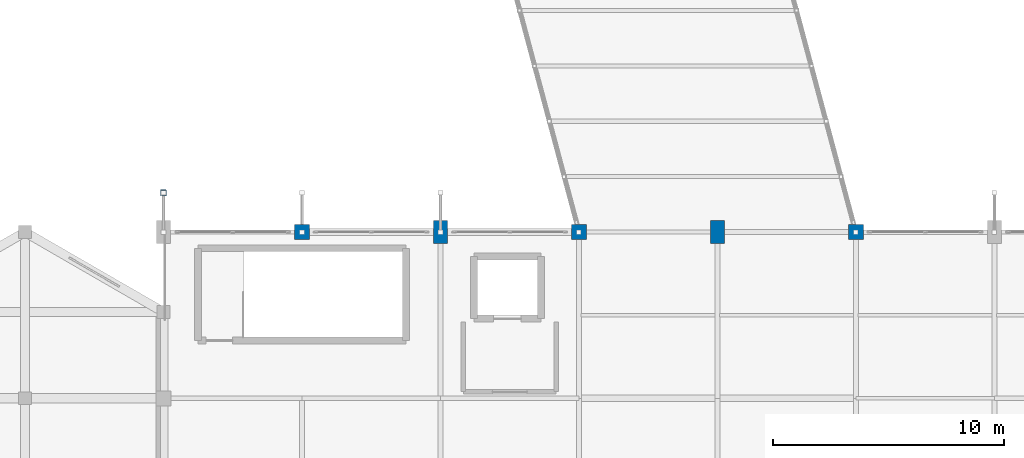
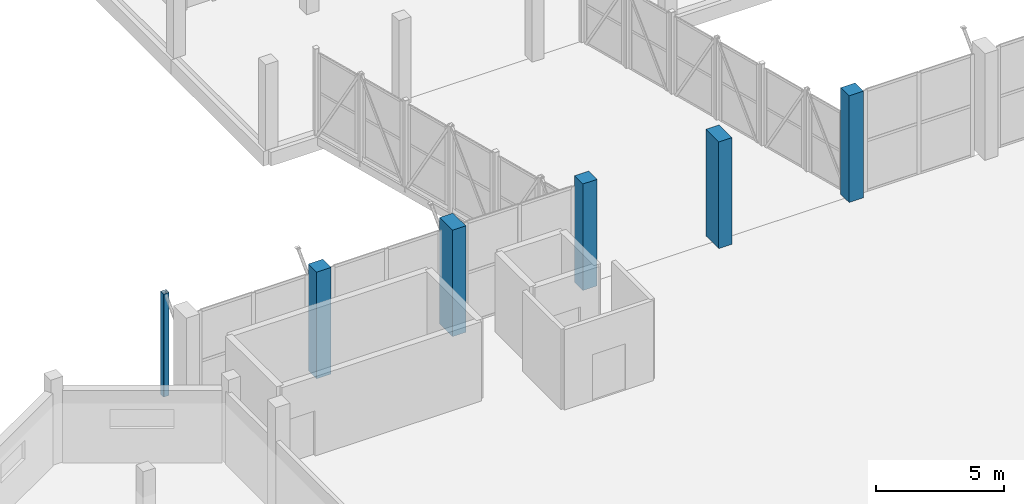
# One storey, part 7 of 127: 6 columns.
"""IFC4 building model written with IfcOpenShell, lengths in metres."""

from ifc_helpers import new_model, si_unit, direction, frame, origin, origin_2d, place, context, subcontext, project, spatial, rectangle, hollow_rectangle, extrude, material, material_profile, profile_set, type_object, element, save


model = new_model("IFC4")

# Units and contexts
model_context = context("Model", 3, precision=1e-05, world=origin(), true_north=direction((0.0, 1.0)))
body_context = subcontext(model_context, "Body", "Model", "MODEL_VIEW")
ifc_project = project(units=[si_unit("LENGTHUNIT", "METRE"), si_unit("AREAUNIT", "SQUARE_METRE"), si_unit("VOLUMEUNIT", "CUBIC_METRE"), si_unit("PLANEANGLEUNIT", "RADIAN"), si_unit("MASSUNIT", "GRAM", prefix="KILO")], contexts=[model_context])

# Site, building, storey
site_placement = place(None, origin())
site = spatial("IfcSite", under=ifc_project, at=site_placement, CompositionType="ELEMENT")
building_placement = place(site_placement, origin())
building = spatial("IfcBuilding", under=site, at=building_placement, Name="Dunvalen Ferry Terminal", CompositionType="ELEMENT")
storey_placement = place(building_placement, frame((0.0, 0.0, 5.760009765625)))
storey = spatial("IfcBuildingStorey", under=building, at=storey_placement, Name="L01", CompositionType="ELEMENT", Elevation=5.760009765625)

# Columns
ifc_material_1 = material(Name="Concrete C40/50", Category="concrete")
ifc_material_profile_1 = material_profile(ifc_material_1, rectangle(XDim=0.60009765625, YDim=1.0, at=origin_2d()), Name="Concrete C40/50")
ifc_profile_set_1 = profile_set([ifc_material_profile_1], Name="Concrete C40/50")
column_type_1 = type_object("IfcColumnType", Name="STR-COL-PIER1000", PredefinedType="COLUMN", material=ifc_profile_set_1)
for number, where, z_axis, x_axis, name in (
    (1, (24.0, 86.39990234375, 0.0), (0.0, 0.0, 1.0), (1.0, 0.0, 0.0), "L01 Departure Hall Upper Pier 18"),
    (2, (36.0, 86.39990234375, 0.0), (0.0, 0.0, 1.0), (1.0, 0.0, 0.0), "L01 Departure Hall Upper Pier 20"),
):
    element("IfcColumn", number, at=place(storey_placement, frame(where, z_axis=z_axis, x_axis=x_axis)), inside=storey, type_object=column_type_1, Name=name, PredefinedType="COLUMN", context=body_context, shape_type="SweptSolid", body=[
        extrude(rectangle(XDim=0.60009765625, YDim=1.0, at=origin_2d()), origin(), (0.0, 0.0, 1.0), 5.080078125),
    ])
ifc_material_profile_2 = material_profile(ifc_material_1, rectangle(XDim=0.64990234375, YDim=0.64990234375, at=origin_2d()), Name="Concrete C40/50")
ifc_profile_set_2 = profile_set([ifc_material_profile_2], Name="Concrete C40/50")
column_type_2 = type_object("IfcColumnType", Name="STR-COL-RC650", PredefinedType="COLUMN", material=ifc_profile_set_2)
for number, where, z_axis, x_axis, name in (
    (3, (18.0, 86.39990234375, 0.0), (0.0, 0.0, 1.0), (1.0, 0.0, 0.0), "L01 Departure Hall Upper Pier 17"),
    (4, (30.0, 86.39990234375, 0.0), (0.0, 0.0, 1.0), (1.0, 0.0, 0.0), "L01 Departure Hall Upper Pier 19"),
    (5, (42.0, 86.39990234375, 0.0), (0.0, 0.0, 1.0), (1.0, 0.0, 0.0), "L01 Departure Hall Upper Pier 21"),
):
    element("IfcColumn", number, at=place(storey_placement, frame(where, z_axis=z_axis, x_axis=x_axis)), inside=storey, type_object=column_type_2, Name=name, PredefinedType="COLUMN", context=body_context, shape_type="SweptSolid", body=[
        extrude(rectangle(XDim=0.64990234375, YDim=0.64990234375, at=origin_2d()), origin(), (0.0, 0.0, 1.0), 5.080078125),
    ])
ifc_material_2 = material(Name="Steel S355", Category="steel")
ifc_material_profile_3 = material_profile(ifc_material_2, hollow_rectangle(XDim=0.25, YDim=0.25, WallThickness=0.010009765625, InnerFilletRadius=0.010009765625, OuterFilletRadius=0.02001953125, at=origin_2d()), Name="Steel S355")
ifc_profile_set_3 = profile_set([ifc_material_profile_3], Name="Steel S355")
column_type_3 = type_object("IfcColumnType", Name="STR-COL-SHS250", PredefinedType="COLUMN", material=ifc_profile_set_3)
column_placement = place(storey_placement, frame((12.0, 88.10009765625, 0.0), z_axis=(0.0, 0.0, 1.0), x_axis=(1.0, 0.0, 0.0)))
element("IfcColumn", 6, at=column_placement, inside=storey, type_object=column_type_3, Name="L01 Eave Colonnade Post 1", PredefinedType="COLUMN", context=body_context, shape_type="SweptSolid", body=[
    extrude(hollow_rectangle(XDim=0.25, YDim=0.25, WallThickness=0.010009765625, InnerFilletRadius=0.010009765625, OuterFilletRadius=0.02001953125, at=origin_2d()), origin(), (0.0, 0.0, 1.0), 4.89990234375),
])

save(model, "model.ifc")
